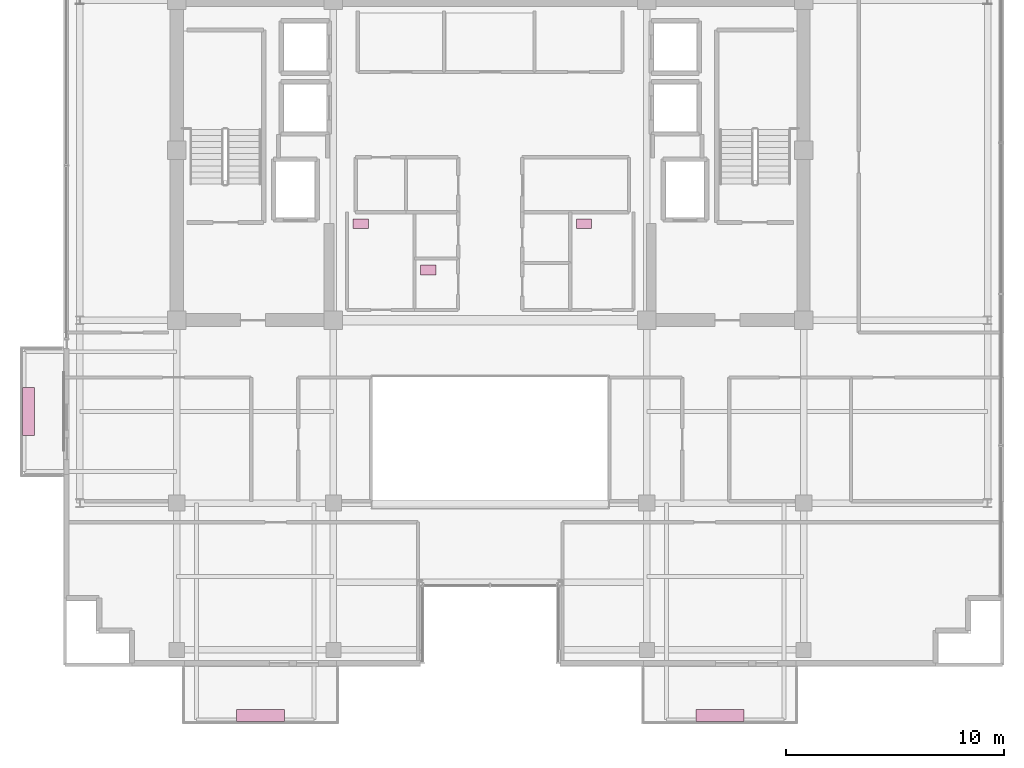
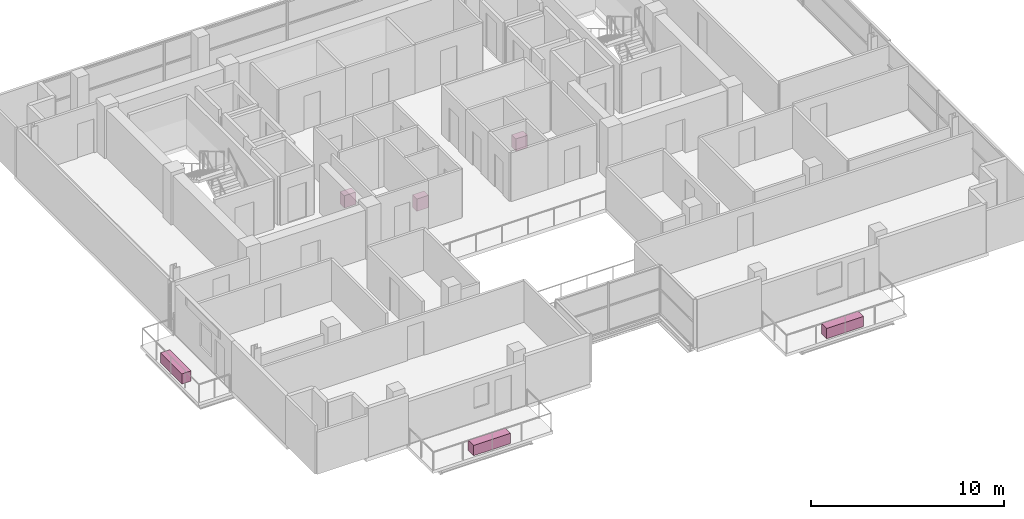
# One storey, part 21 of 21: 6 furnishings.
"""IFC4 building model written with IfcOpenShell, lengths in metres."""

from ifc_helpers import new_model, si_unit, direction, frame, origin, origin_2d, place, context, subcontext, project, spatial, rectangle, extrude, source, transform, mapped, material, type_object, element, save


model = new_model("IFC4")

# Units and contexts
model_context = context("Model", 3, precision=1e-05, world=origin(), true_north=direction((0.0, 1.0)))
body_context = subcontext(model_context, "Body", "Model", "MODEL_VIEW")
ifc_project = project(units=[si_unit("LENGTHUNIT", "METRE"), si_unit("AREAUNIT", "SQUARE_METRE"), si_unit("VOLUMEUNIT", "CUBIC_METRE"), si_unit("PLANEANGLEUNIT", "RADIAN"), si_unit("MASSUNIT", "GRAM", prefix="KILO")], contexts=[model_context])

# Site, building, storey
site_placement = place(None, origin())
site = spatial("IfcSite", under=ifc_project, at=site_placement, CompositionType="ELEMENT")
building_placement = place(site_placement, origin())
building = spatial("IfcBuilding", under=site, at=building_placement, Name="Zarnakvel Exchange Tower", CompositionType="ELEMENT")
storey_placement = place(building_placement, frame((0.0, 0.0, 248.5)))
storey = spatial("IfcBuildingStorey", under=building, at=storey_placement, Name="L70", CompositionType="ELEMENT", Elevation=248.5)

# Furnishings
ifc_material_1 = material(Name="Architectural Bronze Anodised Aluminium", Category="aluminium")
furnishing_element_type_1 = type_object("IfcFurnishingElementType", Name="PLNT-01", material=ifc_material_1)
shared_shape_1 = source(origin(), body_context, "Body", "SweptSolid", [
    extrude(rectangle(XDim=2.199951171875, YDim=0.550048828125, at=origin_2d()), origin(), (0.0, 0.0, 1.0), 0.64990234375),
])
for number, where, z_axis, x_axis, name in (
    (1, (-10.550048828125, -19.3701171875, -0.034912109375), (0.0, 0.0, 1.0), (1.0, 0.0, 0.0), "L70 Balcony Greenery Planter BAL-L70-SW"),
    (2, (10.550048828125, -19.3701171875, -0.034912109375), (0.0, 0.0, 1.0), (1.0, 0.0, 0.0), "L70 Balcony Greenery Planter BAL-L70-SE"),
    (3, (-21.219970703125, -5.39990234375, -0.034912109375), (0.0, 0.0, 1.0), (0.0, 1.0, 0.0), "L70 Balcony Greenery Planter BAL-L70-W"),
):
    element("IfcFurnishingElement", number, at=place(storey_placement, frame(where, z_axis=z_axis, x_axis=x_axis)), inside=storey, type_object=furnishing_element_type_1, Name=name, ObjectType="PLANTER", context=body_context, shape_type="MappedRepresentation", body=[
        mapped(shared_shape_1, transform((0.0, 0.0, 0.0), x_axis=(1.0, 0.0, 0.0), y_axis=(0.0, 1.0, 0.0), z_axis=(0.0, 0.0, 1.0), scale=1.0)),
    ])
ifc_material_2 = material(Name="Vitreous China Sanitaryware", Category="ceramic")
furnishing_element_type_2 = type_object("IfcFurnishingElementType", Name="SAN-WC", material=ifc_material_2)
shared_shape_2 = source(origin(), body_context, "Body", "SweptSolid", [
    extrude(rectangle(XDim=0.699951171875, YDim=0.449951171875, at=origin_2d()), origin(), (0.0, 0.0, 1.0), 0.780029296875),
])
for number, where, z_axis, x_axis, name in (
    (4, (-5.949951171875, 3.22998046875, 0.0), (0.0, 0.0, 1.0), (1.0, 0.0, 0.0), "L70 Sanitary Fixture (Male Toilet)"),
    (5, (-2.840087890625, 1.10009765625, 0.0), (0.0, 0.0, 1.0), (1.0, 0.0, 0.0), "L70 Sanitary Fixture (Accessible Toilet)"),
    (6, (4.31005859375, 3.22998046875, 0.0), (0.0, 0.0, 1.0), (1.0, 0.0, 0.0), "L70 Sanitary Fixture (Female Toilet)"),
):
    element("IfcFurnishingElement", number, at=place(storey_placement, frame(where, z_axis=z_axis, x_axis=x_axis)), inside=storey, type_object=furnishing_element_type_2, Name=name, ObjectType="SANITARY_FIXTURE", context=body_context, shape_type="MappedRepresentation", body=[
        mapped(shared_shape_2, transform((0.0, 0.0, 0.0), x_axis=(1.0, 0.0, 0.0), y_axis=(0.0, 1.0, 0.0), z_axis=(0.0, 0.0, 1.0), scale=1.0)),
    ])

save(model, "model.ifc")
